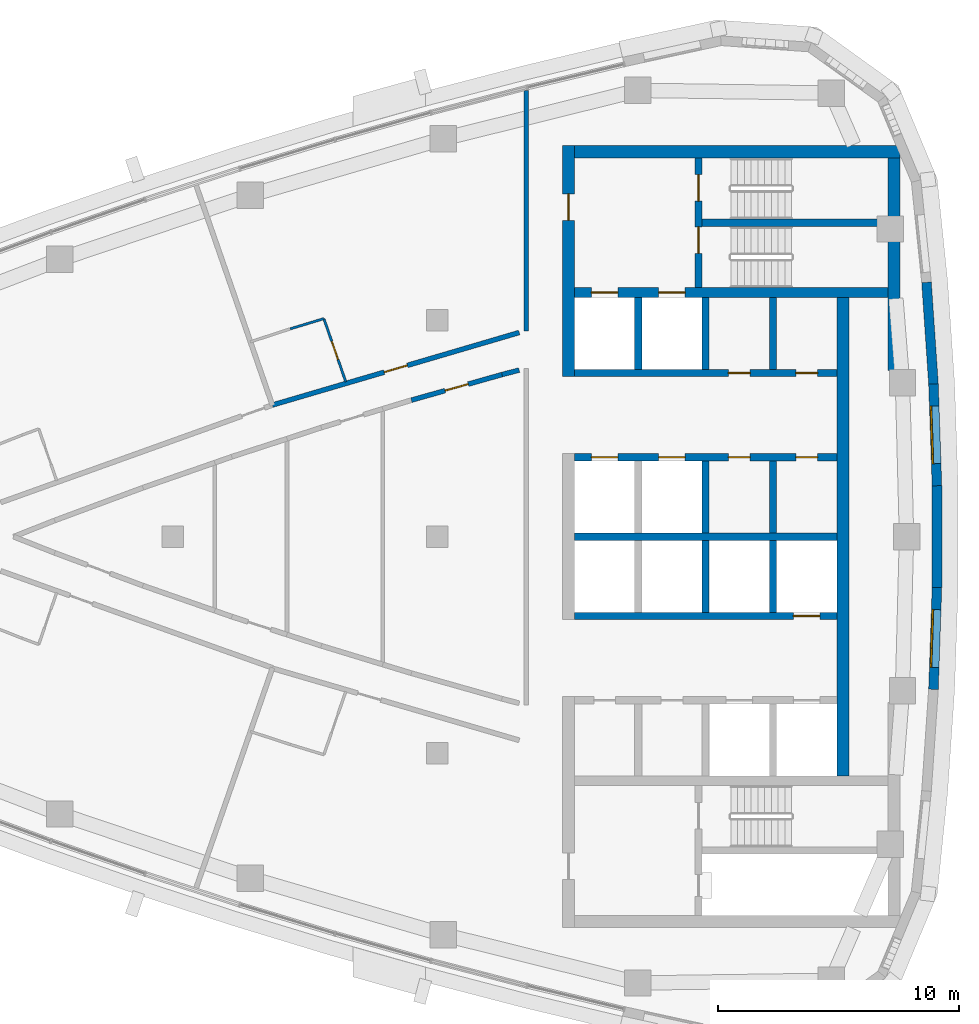
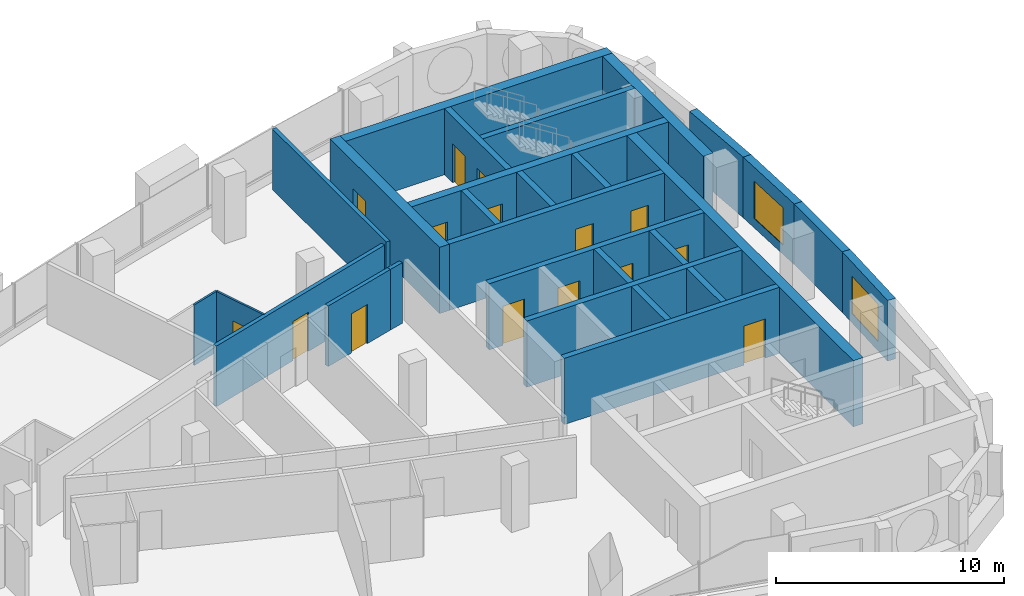
# One storey, part 9 of 14: 28 walls, 15 doors, 2 windows, 17 openings.
"""IFC4 building model written with IfcOpenShell, lengths in metres."""

from ifc_helpers import new_model, si_unit, direction, frame, frame_2d, origin, place, context, subcontext, project, spatial, polyline, rectangle, outline, extrude, material, layer, layer_set, type_object, element, fill, save


model = new_model("IFC4")

# Units and contexts
model_context = context("Model", 3, precision=1e-05, world=origin(), true_north=direction((0.0, 1.0)))
body_context = subcontext(model_context, "Body", "Model", "MODEL_VIEW")
ifc_project = project(units=[si_unit("LENGTHUNIT", "METRE"), si_unit("AREAUNIT", "SQUARE_METRE"), si_unit("VOLUMEUNIT", "CUBIC_METRE"), si_unit("PLANEANGLEUNIT", "RADIAN"), si_unit("MASSUNIT", "GRAM", prefix="KILO")], contexts=[model_context])

# Site, building, storey
site_placement = place(None, origin())
site = spatial("IfcSite", under=ifc_project, at=site_placement, CompositionType="ELEMENT")
building_placement = place(site_placement, origin())
building = spatial("IfcBuilding", under=site, at=building_placement, Name="Ostrand Prow Hotel Tower", CompositionType="ELEMENT")
storey_placement = place(building_placement, frame((0.0, 0.0, 275.0)))
storey = spatial("IfcBuildingStorey", under=building, at=storey_placement, Name="L69", CompositionType="ELEMENT", Elevation=275.0)

# Wall
ifc_material_1 = material(Name="Concrete C50/60", Category="concrete")
ifc_layer_1 = layer(ifc_material_1, 0.300048828125)
ifc_layer_set_1 = layer_set([ifc_layer_1], Name="Concrete C50/60")
wall_type_1 = type_object("IfcWallType", Name="Core wall 300 C50/60", PredefinedType="SHEAR", material=ifc_layer_set_1)
wall_1_placement = place(storey_placement, frame((50.699951171875, 0.0, 0.0), z_axis=(0.0, 0.0, 1.0), x_axis=(1.0, 0.0, 0.0)))
element("IfcWall", 1, at=wall_1_placement, inside=storey, type_object=wall_type_1, Name="Core wall PW-C", PredefinedType="SHEAR", context=body_context, shape_type="SweptSolid", body=[
    extrude(rectangle(XDim=10.900146484375, YDim=0.300048828125, at=frame_2d((5.4501953125, 0.0))), origin(), (0.0, 0.0, 1.0), 3.550048828125),
])

# Wall, openings, doors
wall_2_placement = place(storey_placement, frame((50.699951171875, 3.300048828125, 0.0), z_axis=(0.0, 0.0, 1.0), x_axis=(1.0, 0.0, 0.0)))
wall_2 = element("IfcWall", 2, at=wall_2_placement, inside=storey, type_object=wall_type_1, Name="Core wall PW-L1-N", PredefinedType="SHEAR", context=body_context, shape_type="SweptSolid", body=[
    extrude(rectangle(XDim=10.900146484375, YDim=0.300048828125, at=frame_2d((5.4501953125, 0.0))), origin(), (0.0, 0.0, 1.0), 3.550048828125),
])
opening_1_placement = place(wall_2_placement, frame((0.699951171875, 0.0, 0.0)))
opening_1 = element("IfcOpeningElement", 3, at=opening_1_placement, cuts=wall_2, Name="Opening LD", PredefinedType="OPENING", context=body_context, shape_type="SweptSolid", body=[
    extrude(rectangle(XDim=1.10009765625, YDim=2.10009765625, at=frame_2d((0.550048828125, 1.050048828125))), frame((0.0, 0.159912109375, 0.0), z_axis=(0.0, -1.0, 0.0), x_axis=(1.0, 0.0, 0.0)), (0.0, 0.0, 1.0), 0.320068359375),
])
opening_2_placement = place(wall_2_placement, frame((3.5, 0.0, 0.0)))
opening_2 = element("IfcOpeningElement", 4, at=opening_2_placement, cuts=wall_2, Name="Opening LD", PredefinedType="OPENING", context=body_context, shape_type="SweptSolid", body=[
    extrude(rectangle(XDim=1.10009765625, YDim=2.10009765625, at=frame_2d((0.550048828125, 1.050048828125))), frame((0.0, 0.159912109375, 0.0), z_axis=(0.0, -1.0, 0.0), x_axis=(1.0, 0.0, 0.0)), (0.0, 0.0, 1.0), 0.320068359375),
])
opening_3_placement = place(wall_2_placement, frame((6.39990234375, 0.0, 0.0)))
opening_3 = element("IfcOpeningElement", 5, at=opening_3_placement, cuts=wall_2, Name="Opening FD2", PredefinedType="OPENING", context=body_context, shape_type="SweptSolid", body=[
    extrude(rectangle(XDim=0.89990234375, YDim=2.10009765625, at=frame_2d((0.449951171875, 1.050048828125))), frame((0.0, 0.159912109375, 0.0), z_axis=(0.0, -1.0, 0.0), x_axis=(1.0, 0.0, 0.0)), (0.0, 0.0, 1.0), 0.320068359375),
])
opening_4_placement = place(wall_2_placement, frame((9.199951171875, 0.0, 0.0)))
opening_4 = element("IfcOpeningElement", 6, at=opening_4_placement, cuts=wall_2, Name="Opening FD2", PredefinedType="OPENING", context=body_context, shape_type="SweptSolid", body=[
    extrude(rectangle(XDim=0.89990234375, YDim=2.10009765625, at=frame_2d((0.449951171875, 1.050048828125))), frame((0.0, 0.159912109375, 0.0), z_axis=(0.0, -1.0, 0.0), x_axis=(1.0, 0.0, 0.0)), (0.0, 0.0, 1.0), 0.320068359375),
])
ifc_material_2 = material(Name="Steel fire door", Category="steel")
door_type_1 = type_object("IfcDoorType", Name="Fire door 900 EI120", OperationType="SINGLE_SWING_LEFT", PredefinedType="DOOR", material=ifc_material_2)
door_1_placement = place(opening_3_placement, origin())
door_1 = element("IfcDoor", 7, at=door_1_placement, inside=storey, type_object=door_type_1, Name="DOOR", OperationType="SINGLE_SWING_LEFT", OverallHeight=2.10009765625, OverallWidth=0.89990234375, PredefinedType="DOOR", context=body_context, shape_type="SweptSolid", body=[
    extrude(rectangle(XDim=0.89990234375, YDim=2.10009765625, at=frame_2d((0.449951171875, 1.050048828125))), frame((0.0, 0.02490234375, 0.0), z_axis=(0.0, -1.0, 0.0), x_axis=(1.0, 0.0, 0.0)), (0.0, 0.0, 1.0), 0.050048828125),
])
fill(opening_3, door_1)
door_2_placement = place(opening_4_placement, origin())
door_2 = element("IfcDoor", 8, at=door_2_placement, inside=storey, type_object=door_type_1, Name="DOOR", OperationType="SINGLE_SWING_LEFT", OverallHeight=2.10009765625, OverallWidth=0.89990234375, PredefinedType="DOOR", context=body_context, shape_type="SweptSolid", body=[
    extrude(rectangle(XDim=0.89990234375, YDim=2.10009765625, at=frame_2d((0.449951171875, 1.050048828125))), frame((0.0, 0.02490234375, 0.0), z_axis=(0.0, -1.0, 0.0), x_axis=(1.0, 0.0, 0.0)), (0.0, 0.0, 1.0), 0.050048828125),
])
fill(opening_4, door_2)
ifc_material_3 = material(Name="Stainless steel door", Category="steel")
door_type_2 = type_object("IfcDoorType", Name="Lift landing door 1100", OperationType="DOUBLE_DOOR_SLIDING", PredefinedType="DOOR", material=ifc_material_3)
door_3_placement = place(opening_1_placement, origin())
door_3 = element("IfcDoor", 9, at=door_3_placement, inside=storey, type_object=door_type_2, Name="LIFT LANDING DOOR", OperationType="DOUBLE_DOOR_SLIDING", OverallHeight=2.10009765625, OverallWidth=1.10009765625, PredefinedType="DOOR", context=body_context, shape_type="SweptSolid", body=[
    extrude(rectangle(XDim=1.10009765625, YDim=2.10009765625, at=frame_2d((0.550048828125, 1.050048828125))), frame((0.0, 0.02490234375, 0.0), z_axis=(0.0, -1.0, 0.0), x_axis=(1.0, 0.0, 0.0)), (0.0, 0.0, 1.0), 0.050048828125),
])
fill(opening_1, door_3)
door_4_placement = place(opening_2_placement, origin())
door_4 = element("IfcDoor", 10, at=door_4_placement, inside=storey, type_object=door_type_2, Name="LIFT LANDING DOOR", OperationType="DOUBLE_DOOR_SLIDING", OverallHeight=2.10009765625, OverallWidth=1.10009765625, PredefinedType="DOOR", context=body_context, shape_type="SweptSolid", body=[
    extrude(rectangle(XDim=1.10009765625, YDim=2.10009765625, at=frame_2d((0.550048828125, 1.050048828125))), frame((0.0, 0.02490234375, 0.0), z_axis=(0.0, -1.0, 0.0), x_axis=(1.0, 0.0, 0.0)), (0.0, 0.0, 1.0), 0.050048828125),
])
fill(opening_2, door_4)

wall_3_placement = place(storey_placement, frame((50.699951171875, 6.800048828125, 0.0), z_axis=(0.0, 0.0, 1.0), x_axis=(1.0, 0.0, 0.0)))
wall_3 = element("IfcWall", 11, at=wall_3_placement, inside=storey, type_object=wall_type_1, Name="Core wall PW-L2-N", PredefinedType="SHEAR", context=body_context, shape_type="SweptSolid", body=[
    extrude(rectangle(XDim=10.900146484375, YDim=0.300048828125, at=frame_2d((5.4501953125, 0.0))), origin(), (0.0, 0.0, 1.0), 3.550048828125),
])
opening_5_placement = place(wall_3_placement, frame((6.39990234375, 0.0, 0.0)))
opening_5 = element("IfcOpeningElement", 12, at=opening_5_placement, cuts=wall_3, Name="Opening FD2", PredefinedType="OPENING", context=body_context, shape_type="SweptSolid", body=[
    extrude(rectangle(XDim=0.89990234375, YDim=2.10009765625, at=frame_2d((0.449951171875, 1.050048828125))), frame((0.0, 0.159912109375, 0.0), z_axis=(0.0, -1.0, 0.0), x_axis=(1.0, 0.0, 0.0)), (0.0, 0.0, 1.0), 0.320068359375),
])
opening_6_placement = place(wall_3_placement, frame((9.199951171875, 0.0, 0.0)))
opening_6 = element("IfcOpeningElement", 13, at=opening_6_placement, cuts=wall_3, Name="Opening FD2", PredefinedType="OPENING", context=body_context, shape_type="SweptSolid", body=[
    extrude(rectangle(XDim=0.89990234375, YDim=2.10009765625, at=frame_2d((0.449951171875, 1.050048828125))), frame((0.0, 0.159912109375, 0.0), z_axis=(0.0, -1.0, 0.0), x_axis=(1.0, 0.0, 0.0)), (0.0, 0.0, 1.0), 0.320068359375),
])
door_5_placement = place(opening_5_placement, origin())
door_5 = element("IfcDoor", 14, at=door_5_placement, inside=storey, type_object=door_type_1, Name="DOOR", OperationType="SINGLE_SWING_LEFT", OverallHeight=2.10009765625, OverallWidth=0.89990234375, PredefinedType="DOOR", context=body_context, shape_type="SweptSolid", body=[
    extrude(rectangle(XDim=0.89990234375, YDim=2.10009765625, at=frame_2d((0.449951171875, 1.050048828125))), frame((0.0, 0.02490234375, 0.0), z_axis=(0.0, -1.0, 0.0), x_axis=(1.0, 0.0, 0.0)), (0.0, 0.0, 1.0), 0.050048828125),
])
fill(opening_5, door_5)
door_6_placement = place(opening_6_placement, origin())
door_6 = element("IfcDoor", 15, at=door_6_placement, inside=storey, type_object=door_type_1, Name="DOOR", OperationType="SINGLE_SWING_LEFT", OverallHeight=2.10009765625, OverallWidth=0.89990234375, PredefinedType="DOOR", context=body_context, shape_type="SweptSolid", body=[
    extrude(rectangle(XDim=0.89990234375, YDim=2.10009765625, at=frame_2d((0.449951171875, 1.050048828125))), frame((0.0, 0.02490234375, 0.0), z_axis=(0.0, -1.0, 0.0), x_axis=(1.0, 0.0, 0.0)), (0.0, 0.0, 1.0), 0.050048828125),
])
fill(opening_6, door_6)

# Walls
for number, where, z_axis, x_axis, name in (
    (16, (53.35009765625, 6.949951171875, 0.0), (0.0, 0.0, 1.0), (0.0, 1.0, 0.0), "Core wall PW-R1-NA"),
    (17, (56.14990234375, 0.14990234375, 0.0), (0.0, 0.0, 1.0), (0.0, 1.0, 0.0), "Core wall PW-R2-NB"),
    (18, (56.14990234375, 6.949951171875, 0.0), (0.0, 0.0, 1.0), (0.0, 1.0, 0.0), "Core wall PW-R2-NA"),
    (19, (58.949951171875, 0.14990234375, 0.0), (0.0, 0.0, 1.0), (0.0, 1.0, 0.0), "Core wall PW-R3-NB"),
    (20, (58.949951171875, 6.949951171875, 0.0), (0.0, 0.0, 1.0), (0.0, 1.0, 0.0), "Core wall PW-R3-NA"),
):
    element("IfcWall", number, at=place(storey_placement, frame(where, z_axis=z_axis, x_axis=x_axis)), inside=storey, type_object=wall_type_1, Name=name, PredefinedType="SHEAR", context=body_context, shape_type="SweptSolid", body=[
        extrude(rectangle(XDim=3.0, YDim=0.300048828125, at=frame_2d((1.5, 0.0))), origin(), (0.0, 0.0, 1.0), 3.550048828125),
    ])

# Wall, opening, door
wall_4_placement = place(storey_placement, frame((50.699951171875, -3.300048828125, 0.0), z_axis=(0.0, 0.0, 1.0), x_axis=(1.0, 0.0, 0.0)))
wall_4 = element("IfcWall", 21, at=wall_4_placement, inside=storey, type_object=wall_type_1, Name="Core wall PW-L1-S", PredefinedType="SHEAR", context=body_context, shape_type="SweptSolid", body=[
    extrude(rectangle(XDim=10.900146484375, YDim=0.300048828125, at=frame_2d((5.4501953125, 0.0))), origin(), (0.0, 0.0, 1.0), 3.550048828125),
])
opening_7_placement = place(wall_4_placement, frame((9.10009765625, 0.0, 0.0)))
opening_7 = element("IfcOpeningElement", 22, at=opening_7_placement, cuts=wall_4, Name="Opening LD", PredefinedType="OPENING", context=body_context, shape_type="SweptSolid", body=[
    extrude(rectangle(XDim=1.10009765625, YDim=2.10009765625, at=frame_2d((0.550048828125, 1.050048828125))), frame((0.0, 0.159912109375, 0.0), z_axis=(0.0, -1.0, 0.0), x_axis=(1.0, 0.0, 0.0)), (0.0, 0.0, 1.0), 0.320068359375),
])
door_7_placement = place(opening_7_placement, origin())
door_7 = element("IfcDoor", 23, at=door_7_placement, inside=storey, type_object=door_type_2, Name="LIFT LANDING DOOR", OperationType="DOUBLE_DOOR_SLIDING", OverallHeight=2.10009765625, OverallWidth=1.10009765625, PredefinedType="DOOR", context=body_context, shape_type="SweptSolid", body=[
    extrude(rectangle(XDim=1.10009765625, YDim=2.10009765625, at=frame_2d((0.550048828125, 1.050048828125))), frame((0.0, 0.02490234375, 0.0), z_axis=(0.0, -1.0, 0.0), x_axis=(1.0, 0.0, 0.0)), (0.0, 0.0, 1.0), 0.050048828125),
])
fill(opening_7, door_7)

# Walls
for number, where, z_axis, x_axis, name in (
    (24, (56.14990234375, -3.14990234375, 0.0), (0.0, 0.0, 1.0), (0.0, 1.0, 0.0), "Core wall PW-R2-SB"),
    (25, (58.949951171875, -3.14990234375, 0.0), (0.0, 0.0, 1.0), (0.0, 1.0, 0.0), "Core wall PW-R3-SB"),
):
    element("IfcWall", number, at=place(storey_placement, frame(where, z_axis=z_axis, x_axis=x_axis)), inside=storey, type_object=wall_type_1, Name=name, PredefinedType="SHEAR", context=body_context, shape_type="SweptSolid", body=[
        extrude(rectangle(XDim=3.0, YDim=0.300048828125, at=frame_2d((1.5, 0.0))), origin(), (0.0, 0.0, 1.0), 3.550048828125),
    ])

# Wall, openings, doors
wall_5_placement = place(storey_placement, frame((55.85009765625, 10.35009765625, 0.0), z_axis=(0.0, 0.0, 1.0), x_axis=(0.0, 1.0, 0.0)))
wall_5 = element("IfcWall", 26, at=wall_5_placement, inside=storey, type_object=wall_type_1, Name="Core wall PW-VN", PredefinedType="SHEAR", context=body_context, shape_type="SweptSolid", body=[
    extrude(rectangle(XDim=5.39990234375, YDim=0.300048828125, at=frame_2d((2.699951171875, 0.0))), origin(), (0.0, 0.0, 1.0), 3.550048828125),
])
opening_8_placement = place(wall_5_placement, frame((1.429931640625, 0.0, 0.0)))
opening_8 = element("IfcOpeningElement", 27, at=opening_8_placement, cuts=wall_5, Name="Opening FD1", PredefinedType="OPENING", context=body_context, shape_type="SweptSolid", body=[
    extrude(rectangle(XDim=1.10009765625, YDim=2.10009765625, at=frame_2d((0.550048828125, 1.050048828125))), frame((0.0, 0.159912109375, 0.0), z_axis=(0.0, -1.0, 0.0), x_axis=(1.0, 0.0, 0.0)), (0.0, 0.0, 1.0), 0.320068359375),
])
opening_9_placement = place(wall_5_placement, frame((3.60009765625, 0.0, 0.0)))
opening_9 = element("IfcOpeningElement", 28, at=opening_9_placement, cuts=wall_5, Name="Opening FD1", PredefinedType="OPENING", context=body_context, shape_type="SweptSolid", body=[
    extrude(rectangle(XDim=1.10009765625, YDim=2.10009765625, at=frame_2d((0.550048828125, 1.050048828125))), frame((0.0, 0.159912109375, 0.0), z_axis=(0.0, -1.0, 0.0), x_axis=(1.0, 0.0, 0.0)), (0.0, 0.0, 1.0), 0.320068359375),
])
ifc_material_4 = material(Name="Steel fire door", Category="steel")
door_type_3 = type_object("IfcDoorType", Name="Fire door 1100 EI120", OperationType="SINGLE_SWING_RIGHT", PredefinedType="DOOR", material=ifc_material_4)
door_8_placement = place(opening_8_placement, origin())
door_8 = element("IfcDoor", 29, at=door_8_placement, inside=storey, type_object=door_type_3, Name="FIRE DOOR", OperationType="SINGLE_SWING_RIGHT", OverallHeight=2.10009765625, OverallWidth=1.10009765625, PredefinedType="DOOR", context=body_context, shape_type="SweptSolid", body=[
    extrude(rectangle(XDim=1.10009765625, YDim=2.10009765625, at=frame_2d((0.550048828125, 1.050048828125))), frame((0.0, 0.02490234375, 0.0), z_axis=(0.0, -1.0, 0.0), x_axis=(1.0, 0.0, 0.0)), (0.0, 0.0, 1.0), 0.050048828125),
])
fill(opening_8, door_8)
door_9_placement = place(opening_9_placement, origin())
door_9 = element("IfcDoor", 30, at=door_9_placement, inside=storey, type_object=door_type_3, Name="FIRE DOOR", OperationType="SINGLE_SWING_RIGHT", OverallHeight=2.10009765625, OverallWidth=1.10009765625, PredefinedType="DOOR", context=body_context, shape_type="SweptSolid", body=[
    extrude(rectangle(XDim=1.10009765625, YDim=2.10009765625, at=frame_2d((0.550048828125, 1.050048828125))), frame((0.0, 0.02490234375, 0.0), z_axis=(0.0, -1.0, 0.0), x_axis=(1.0, 0.0, 0.0)), (0.0, 0.0, 1.0), 0.050048828125),
])
fill(opening_9, door_9)

# Wall
wall_6_placement = place(storey_placement, frame((56.0, 13.050048828125, 0.0), z_axis=(0.0, 0.0, 1.0), x_axis=(1.0, 0.0, 0.0)))
element("IfcWall", 31, at=wall_6_placement, inside=storey, type_object=wall_type_1, Name="Core wall PW-ST13", PredefinedType="SHEAR", context=body_context, shape_type="SweptSolid", body=[
    extrude(rectangle(XDim=7.719970703125, YDim=0.300048828125, at=frame_2d((3.85986328125, 0.0))), origin(), (0.0, 0.0, 1.0), 3.550048828125),
])

# Wall, openings, doors
ifc_material_5 = material(Name="Concrete C50/60", Category="concrete")
ifc_layer_2 = layer(ifc_material_5, 0.39990234375)
ifc_layer_set_2 = layer_set([ifc_layer_2], Name="Concrete C50/60")
wall_type_2 = type_object("IfcWallType", Name="Core wall 400 C50/60", PredefinedType="SHEAR", material=ifc_layer_set_2)
wall_7_placement = place(storey_placement, frame((50.699951171875, 10.14990234375, 0.0), z_axis=(0.0, 0.0, 1.0), x_axis=(1.0, 0.0, 0.0)))
wall_7 = element("IfcWall", 32, at=wall_7_placement, inside=storey, type_object=wall_type_2, Name="Core wall PW-BN", PredefinedType="SHEAR", context=body_context, shape_type="SweptSolid", body=[
    extrude(rectangle(XDim=13.02001953125, YDim=0.39990234375, at=frame_2d((6.510009765625, 0.0))), origin(), (0.0, 0.0, 1.0), 3.550048828125),
])
opening_10_placement = place(wall_7_placement, frame((0.699951171875, 0.0, 0.0)))
opening_10 = element("IfcOpeningElement", 33, at=opening_10_placement, cuts=wall_7, Name="Opening LD", PredefinedType="OPENING", context=body_context, shape_type="SweptSolid", body=[
    extrude(rectangle(XDim=1.10009765625, YDim=2.10009765625, at=frame_2d((0.550048828125, 1.050048828125))), frame((0.0, 0.2099609375, 0.0), z_axis=(0.0, -1.0, 0.0), x_axis=(1.0, 0.0, 0.0)), (0.0, 0.0, 1.0), 0.419921875),
])
opening_11_placement = place(wall_7_placement, frame((3.5, 0.0, 0.0)))
opening_11 = element("IfcOpeningElement", 34, at=opening_11_placement, cuts=wall_7, Name="Opening LD", PredefinedType="OPENING", context=body_context, shape_type="SweptSolid", body=[
    extrude(rectangle(XDim=1.10009765625, YDim=2.10009765625, at=frame_2d((0.550048828125, 1.050048828125))), frame((0.0, 0.2099609375, 0.0), z_axis=(0.0, -1.0, 0.0), x_axis=(1.0, 0.0, 0.0)), (0.0, 0.0, 1.0), 0.419921875),
])
door_10_placement = place(opening_10_placement, origin())
door_10 = element("IfcDoor", 35, at=door_10_placement, inside=storey, type_object=door_type_2, Name="LIFT LANDING DOOR", OperationType="DOUBLE_DOOR_SLIDING", OverallHeight=2.10009765625, OverallWidth=1.10009765625, PredefinedType="DOOR", context=body_context, shape_type="SweptSolid", body=[
    extrude(rectangle(XDim=1.10009765625, YDim=2.10009765625, at=frame_2d((0.550048828125, 1.050048828125))), frame((0.0, 0.02490234375, 0.0), z_axis=(0.0, -1.0, 0.0), x_axis=(1.0, 0.0, 0.0)), (0.0, 0.0, 1.0), 0.050048828125),
])
fill(opening_10, door_10)
door_11_placement = place(opening_11_placement, origin())
door_11 = element("IfcDoor", 36, at=door_11_placement, inside=storey, type_object=door_type_2, Name="LIFT LANDING DOOR", OperationType="DOUBLE_DOOR_SLIDING", OverallHeight=2.10009765625, OverallWidth=1.10009765625, PredefinedType="DOOR", context=body_context, shape_type="SweptSolid", body=[
    extrude(rectangle(XDim=1.10009765625, YDim=2.10009765625, at=frame_2d((0.550048828125, 1.050048828125))), frame((0.0, 0.02490234375, 0.0), z_axis=(0.0, -1.0, 0.0), x_axis=(1.0, 0.0, 0.0)), (0.0, 0.0, 1.0), 0.050048828125),
])
fill(opening_11, door_11)

# Wall, opening, door
ifc_material_6 = material(Name="Concrete C50/60", Category="concrete")
ifc_layer_3 = layer(ifc_material_6, 0.5)
ifc_layer_set_3 = layer_set([ifc_layer_3], Name="Concrete C50/60")
wall_type_3 = type_object("IfcWallType", Name="Core wall 500 C50/60", PredefinedType="SHEAR", material=ifc_layer_set_3)
wall_8_placement = place(storey_placement, frame((50.449951171875, 6.64990234375, 0.0), z_axis=(0.0, 0.0, 1.0), x_axis=(0.0, 1.0, 0.0)))
wall_8 = element("IfcWall", 37, at=wall_8_placement, inside=storey, type_object=wall_type_3, Name="Core wall CW-W-N", PredefinedType="SHEAR", context=body_context, shape_type="SweptSolid", body=[
    extrude(rectangle(XDim=9.60009765625, YDim=0.5, at=frame_2d((4.800048828125, 0.0))), origin(), (0.0, 0.0, 1.0), 3.550048828125),
])
opening_12_placement = place(wall_8_placement, frame((6.5, 0.0, 0.0)))
opening_12 = element("IfcOpeningElement", 38, at=opening_12_placement, cuts=wall_8, Name="Opening FD1", PredefinedType="OPENING", context=body_context, shape_type="SweptSolid", body=[
    extrude(rectangle(XDim=1.10009765625, YDim=2.10009765625, at=frame_2d((0.550048828125, 1.050048828125))), frame((0.0, 0.260009765625, 0.0), z_axis=(0.0, -1.0, 0.0), x_axis=(1.0, 0.0, 0.0)), (0.0, 0.0, 1.0), 0.52001953125),
])
door_12_placement = place(opening_12_placement, origin())
door_12 = element("IfcDoor", 39, at=door_12_placement, inside=storey, type_object=door_type_3, Name="FIRE DOOR", OperationType="SINGLE_SWING_RIGHT", OverallHeight=2.10009765625, OverallWidth=1.10009765625, PredefinedType="DOOR", context=body_context, shape_type="SweptSolid", body=[
    extrude(rectangle(XDim=1.10009765625, YDim=2.10009765625, at=frame_2d((0.550048828125, 1.050048828125))), frame((0.0, 0.02490234375, 0.0), z_axis=(0.0, -1.0, 0.0), x_axis=(1.0, 0.0, 0.0)), (0.0, 0.0, 1.0), 0.050048828125),
])
fill(opening_12, door_12)

# Walls
wall_9_placement = place(storey_placement, frame((50.699951171875, 16.0, 0.0), z_axis=(0.0, 0.0, 1.0), x_axis=(1.0, 0.0, 0.0)))
element("IfcWall", 40, at=wall_9_placement, inside=storey, type_object=wall_type_3, Name="Core wall CW-N", PredefinedType="SHEAR", context=body_context, shape_type="SweptSolid", body=[
    extrude(rectangle(XDim=13.52001953125, YDim=0.5, at=frame_2d((6.760009765625, 0.0))), origin(), (0.0, 0.0, 1.0), 3.550048828125),
])
wall_10_placement = place(storey_placement, frame((63.969970703125, 6.9033203125, 0.0), z_axis=(0.0, 0.0, 1.0), x_axis=(0.0, 1.0, 0.0)))
element("IfcWall", 41, at=wall_10_placement, inside=storey, type_object=wall_type_3, Name="Core wall CW-E-N", PredefinedType="SHEAR", context=body_context, shape_type="SweptSolid", body=[
    extrude(rectangle(XDim=8.8466796875, YDim=0.5, at=frame_2d((4.42333984375, 0.0))), origin(), (0.0, 0.0, 1.0), 3.550048828125),
])
wall_11_placement = place(storey_placement, frame((61.85009765625, -9.949951171875, 0.0), z_axis=(0.0, 0.0, 1.0), x_axis=(0.0, 1.0, 0.0)))
element("IfcWall", 42, at=wall_11_placement, inside=storey, type_object=wall_type_3, Name="Core wall CW-E-C", PredefinedType="SHEAR", context=body_context, shape_type="SweptSolid", body=[
    extrude(rectangle(XDim=19.89990234375, YDim=0.5, at=frame_2d((9.949951171875, 0.0))), origin(), (0.0, 0.0, 1.0), 3.550048828125),
])
ifc_material_7 = material(Name="Plasterboard partition")
ifc_layer_4 = layer(ifc_material_7, 0.10009765625)
ifc_layer_set_4 = layer_set([ifc_layer_4], Name="Plasterboard partition")
wall_type_4 = type_object("IfcWallType", Name="Partition 100 bathroom wall", PredefinedType="PARTITIONING", material=ifc_layer_set_4)
wall_12_placement = place(storey_placement, frame((38.88232421875, 8.6376953125, 0.0), z_axis=(0.0, 0.0, 1.0), x_axis=(0.956734544447, 0.290962216555, 0.0)))
element("IfcWall", 43, at=wall_12_placement, inside=storey, type_object=wall_type_4, Name="BATHROOM WALL", PredefinedType="PARTITIONING", context=body_context, shape_type="SweptSolid", body=[
    extrude(rectangle(XDim=1.461669921875, YDim=0.10009765625, at=frame_2d((0.73095703125, 0.0))), origin(), (0.0, 0.0, 1.0), 3.25),
])

# Wall, opening, door
wall_13_placement = place(storey_placement, frame((40.281005859375, 9.062744140625, 0.0), z_axis=(0.0, 0.0, 1.0), x_axis=(0.327695885805, -0.944783258968, 0.0)))
wall_13 = element("IfcWall", 44, at=wall_13_placement, inside=storey, type_object=wall_type_4, Name="BATHROOM WALL", PredefinedType="PARTITIONING", context=body_context, shape_type="SweptSolid", body=[
    extrude(rectangle(XDim=2.779052734375, YDim=0.10009765625, at=frame_2d((1.3896484375, 0.0))), origin(), (0.0, 0.0, 1.0), 3.25),
])
opening_13_placement = place(wall_13_placement, frame((1.0, 0.0, 0.0)))
opening_13 = element("IfcOpeningElement", 45, at=opening_13_placement, cuts=wall_13, Name="Opening D2", PredefinedType="OPENING", context=body_context, shape_type="SweptSolid", body=[
    extrude(rectangle(XDim=0.800048828125, YDim=2.10009765625, at=frame_2d((0.39990234375, 1.050048828125))), frame((0.0, 0.06005859375, 0.0), z_axis=(0.0, -1.0, 0.0), x_axis=(1.0, 0.0, 0.0)), (0.0, 0.0, 1.0), 0.1201171875),
])
ifc_material_8 = material(Name="Timber door leaf", Category="wood")
door_type_4 = type_object("IfcDoorType", Name="Bathroom door 800", OperationType="SINGLE_SWING_LEFT", PredefinedType="DOOR", material=ifc_material_8)
door_13_placement = place(opening_13_placement, origin())
door_13 = element("IfcDoor", 46, at=door_13_placement, inside=storey, type_object=door_type_4, Name="DOOR", OperationType="SINGLE_SWING_LEFT", OverallHeight=2.10009765625, OverallWidth=0.800048828125, PredefinedType="DOOR", context=body_context, shape_type="SweptSolid", body=[
    extrude(rectangle(XDim=0.800048828125, YDim=2.10009765625, at=frame_2d((0.39990234375, 1.050048828125))), frame((0.0, 0.02490234375, 0.0), z_axis=(0.0, -1.0, 0.0), x_axis=(1.0, 0.0, 0.0)), (0.0, 0.0, 1.0), 0.050048828125),
])
fill(opening_13, door_13)

ifc_material_9 = material(Name="Plasterboard partition")
ifc_layer_5 = layer(ifc_material_9, 0.199951171875)
ifc_layer_set_5 = layer_set([ifc_layer_5], Name="Plasterboard partition")
wall_type_5 = type_object("IfcWallType", Name="Partition 200 corridor wall", PredefinedType="PARTITIONING", material=ifc_layer_set_5)
wall_14_placement = place(storey_placement, frame((43.91845703125, 5.6748046875, 0.0), z_axis=(0.0, 0.0, 1.0), x_axis=(0.962411212211, 0.271596499628, 0.0)))
wall_14 = element("IfcWall", 47, at=wall_14_placement, inside=storey, type_object=wall_type_5, Name="CORRIDOR WALL", PredefinedType="PARTITIONING", context=body_context, shape_type="SweptSolid", body=[
    extrude(rectangle(XDim=3.912841796875, YDim=0.199951171875, at=frame_2d((1.95654296875, 0.0))), origin(), (0.0, 0.0, 1.0), 3.25),
])
opening_14_placement = place(wall_14_placement, frame((1.45654296875, 0.0, 0.0)))
opening_14 = element("IfcOpeningElement", 48, at=opening_14_placement, cuts=wall_14, Name="Opening D1", PredefinedType="OPENING", context=body_context, shape_type="SweptSolid", body=[
    extrude(rectangle(XDim=1.0, YDim=2.10009765625, at=frame_2d((0.5, 1.050048828125))), frame((0.0, 0.10986328125, 0.0), z_axis=(0.0, -1.0, 0.0), x_axis=(1.0, 0.0, 0.0)), (0.0, 0.0, 1.0), 0.219970703125),
])
ifc_material_10 = material(Name="Timber door leaf", Category="wood")
door_type_5 = type_object("IfcDoorType", Name="Guest room door 1000", OperationType="SINGLE_SWING_LEFT", PredefinedType="DOOR", material=ifc_material_10)
door_14_placement = place(opening_14_placement, origin())
door_14 = element("IfcDoor", 49, at=door_14_placement, inside=storey, type_object=door_type_5, Name="DOOR", OperationType="SINGLE_SWING_LEFT", OverallHeight=2.10009765625, OverallWidth=1.0, PredefinedType="DOOR", context=body_context, shape_type="SweptSolid", body=[
    extrude(rectangle(XDim=1.0, YDim=2.10009765625, at=frame_2d((0.5, 1.050048828125))), frame((0.0, 0.02490234375, 0.0), z_axis=(0.0, -1.0, 0.0), x_axis=(1.0, 0.0, 0.0)), (0.0, 0.0, 1.0), 0.050048828125),
])
fill(opening_14, door_14)

wall_15_placement = place(storey_placement, frame((48.39990234375, 8.485107421875, 0.0), z_axis=(0.0, 0.0, 1.0), x_axis=(-0.959461783262, -0.281838759682, 0.0)))
wall_15 = element("IfcWall", 50, at=wall_15_placement, inside=storey, type_object=wall_type_5, Name="CORRIDOR WALL", PredefinedType="PARTITIONING", context=body_context, shape_type="SweptSolid", body=[
    extrude(rectangle(XDim=10.69384765625, YDim=0.199951171875, at=frame_2d((5.346923828125, 0.0))), origin(), (0.0, 0.0, 1.0), 3.25),
])
opening_15_placement = place(wall_15_placement, frame((4.846923828125, 0.0, 0.0)))
opening_15 = element("IfcOpeningElement", 51, at=opening_15_placement, cuts=wall_15, Name="Opening D1", PredefinedType="OPENING", context=body_context, shape_type="SweptSolid", body=[
    extrude(rectangle(XDim=1.0, YDim=2.10009765625, at=frame_2d((0.5, 1.050048828125))), frame((0.0, 0.10986328125, 0.0), z_axis=(0.0, -1.0, 0.0), x_axis=(1.0, 0.0, 0.0)), (0.0, 0.0, 1.0), 0.219970703125),
])
door_15_placement = place(opening_15_placement, origin())
door_15 = element("IfcDoor", 52, at=door_15_placement, inside=storey, type_object=door_type_5, Name="DOOR", OperationType="SINGLE_SWING_LEFT", OverallHeight=2.10009765625, OverallWidth=1.0, PredefinedType="DOOR", context=body_context, shape_type="SweptSolid", body=[
    extrude(rectangle(XDim=1.0, YDim=2.10009765625, at=frame_2d((0.5, 1.050048828125))), frame((0.0, 0.02490234375, 0.0), z_axis=(0.0, -1.0, 0.0), x_axis=(1.0, 0.0, 0.0)), (0.0, 0.0, 1.0), 0.050048828125),
])
fill(opening_15, door_15)

# Walls
wall_16_placement = place(storey_placement, frame((47.684326171875, 6.737548828125, 0.0), z_axis=(0.0, 0.0, 1.0), x_axis=(0.967585713416, 0.252542842294, 0.0)))
element("IfcWall", 53, at=wall_16_placement, inside=storey, type_object=wall_type_5, Name="CORRIDOR WALL", PredefinedType="PARTITIONING", context=body_context, shape_type="SweptSolid", body=[
    extrude(rectangle(XDim=0.739501953125, YDim=0.199951171875, at=frame_2d((0.36962890625, 0.0))), origin(), (0.0, 0.0, 1.0), 3.25),
])
wall_17_placement = place(storey_placement, frame((48.695068359375, 18.552978515625, 0.0), z_axis=(0.0, 0.0, 1.0), x_axis=(0.0, -1.0, 0.0)))
element("IfcWall", 54, at=wall_17_placement, inside=storey, type_object=wall_type_5, Name="CORRIDOR WALL", PredefinedType="PARTITIONING", context=body_context, shape_type="SweptSolid", body=[
    extrude(rectangle(XDim=9.99658203125, YDim=0.199951171875, at=frame_2d((4.998291015625, 0.0))), origin(), (0.0, 0.0, 1.0), 3.25),
])

# Wall, opening, window
ifc_material_11 = material(Name="Precast concrete C40/50", Category="concrete")
ifc_layer_6 = layer(ifc_material_11, 0.39990234375)
ifc_layer_set_6 = layer_set([ifc_layer_6], Name="Precast concrete C40/50")
wall_type_6 = type_object("IfcWallType", Name="Stone-faced precast wall 400 mm", PredefinedType="NOTDEFINED", material=ifc_layer_set_6)
wall_18_placement = place(storey_placement, frame((65.6201171875, -6.34765625, 0.0), z_axis=(0.0, 0.0, 1.0), x_axis=(0.034082898699, 0.999419009233, 0.0)))
wall_18 = element("IfcWall", 55, at=wall_18_placement, inside=storey, type_object=wall_type_6, Name="Stone-faced wall back 7", PredefinedType="NOTDEFINED", context=body_context, shape_type="SweptSolid", body=[
    extrude(outline(polyline([(-0.00341796875, -0.199951171875), (4.23681640625, -0.199951171875), (4.22998046875, 0.199951171875), (0.00341796875, 0.199951171875), (-0.00341796875, -0.199951171875)])), origin(), (0.0, 0.0, 1.0), 3.25),
])
opening_16_placement = place(wall_18_placement, frame((0.916748046875, 0.0, 0.5)))
opening_16 = element("IfcOpeningElement", 56, at=opening_16_placement, cuts=wall_18, Name="Opening WA1", PredefinedType="OPENING", context=body_context, shape_type="SweptSolid", body=[
    extrude(rectangle(XDim=2.39990234375, YDim=2.0, at=frame_2d((1.199951171875, 1.0))), frame((0.0, 0.2099609375, 0.0), z_axis=(0.0, -1.0, 0.0), x_axis=(1.0, 0.0, 0.0)), (0.0, 0.0, 1.0), 0.419921875),
])
ifc_material_12 = material(Name="Insulated glass in bronze frame", Category="glass")
window_type = type_object("IfcWindowType", Name="Amenity picture window 2400x2000", PartitioningType="SINGLE_PANEL", PredefinedType="WINDOW", material=ifc_material_12)
window_1_placement = place(opening_16_placement, origin())
window_1 = element("IfcWindow", 57, at=window_1_placement, inside=storey, type_object=window_type, Name="Window back 7.1", OverallHeight=2.0, OverallWidth=2.39990234375, PartitioningType="SINGLE_PANEL", PredefinedType="WINDOW", context=body_context, shape_type="SweptSolid", body=[
    extrude(rectangle(XDim=2.39990234375, YDim=2.0, at=frame_2d((1.199951171875, 1.0))), frame((0.0, 0.169921875, 0.0), z_axis=(0.0, -1.0, 0.0), x_axis=(1.0, 0.0, 0.0)), (0.0, 0.0, 1.0), 0.06005859375),
])
fill(opening_16, window_1)

# Wall
wall_19_placement = place(storey_placement, frame((65.764404296875, -2.11669921875, 0.0), z_axis=(0.0, 0.0, 1.0), x_axis=(0.0, 1.0, 0.0)))
element("IfcWall", 58, at=wall_19_placement, inside=storey, type_object=wall_type_6, Name="Stone-faced wall back 8", PredefinedType="NOTDEFINED", context=body_context, shape_type="SweptSolid", body=[
    extrude(outline(polyline([(-0.00341796875, -0.199951171875), (4.23681640625, -0.199951171875), (4.22998046875, 0.199951171875), (0.00341796875, 0.199951171875), (-0.00341796875, -0.199951171875)])), origin(), (0.0, 0.0, 1.0), 3.25),
])

# Wall, opening, window
wall_20_placement = place(storey_placement, frame((65.764404296875, 2.11669921875, 0.0), z_axis=(0.0, 0.0, 1.0), x_axis=(-0.034082898699, 0.999419009233, 0.0)))
wall_20 = element("IfcWall", 59, at=wall_20_placement, inside=storey, type_object=wall_type_6, Name="Stone-faced wall back 9", PredefinedType="NOTDEFINED", context=body_context, shape_type="SweptSolid", body=[
    extrude(outline(polyline([(-0.00341796875, -0.199951171875), (4.23681640625, -0.199951171875), (4.22998046875, 0.199951171875), (0.00341796875, 0.199951171875), (-0.00341796875, -0.199951171875)])), origin(), (0.0, 0.0, 1.0), 3.25),
])
opening_17_placement = place(wall_20_placement, frame((0.916748046875, 0.0, 0.5)))
opening_17 = element("IfcOpeningElement", 60, at=opening_17_placement, cuts=wall_20, Name="Opening WA1", PredefinedType="OPENING", context=body_context, shape_type="SweptSolid", body=[
    extrude(rectangle(XDim=2.39990234375, YDim=2.0, at=frame_2d((1.199951171875, 1.0))), frame((0.0, 0.2099609375, 0.0), z_axis=(0.0, -1.0, 0.0), x_axis=(1.0, 0.0, 0.0)), (0.0, 0.0, 1.0), 0.419921875),
])
window_2_placement = place(opening_17_placement, origin())
window_2 = element("IfcWindow", 61, at=window_2_placement, inside=storey, type_object=window_type, Name="Window back 9.1", OverallHeight=2.0, OverallWidth=2.39990234375, PartitioningType="SINGLE_PANEL", PredefinedType="WINDOW", context=body_context, shape_type="SweptSolid", body=[
    extrude(rectangle(XDim=2.39990234375, YDim=2.0, at=frame_2d((1.199951171875, 1.0))), frame((0.0, 0.169921875, 0.0), z_axis=(0.0, -1.0, 0.0), x_axis=(1.0, 0.0, 0.0)), (0.0, 0.0, 1.0), 0.06005859375),
])
fill(opening_17, window_2)

# Wall
wall_21_placement = place(storey_placement, frame((65.6201171875, 6.34765625, 0.0), z_axis=(0.0, 0.0, 1.0), x_axis=(-0.068279584479, 0.997666225921, 0.0)))
element("IfcWall", 62, at=wall_21_placement, inside=storey, type_object=wall_type_6, Name="Stone-faced wall back 10", PredefinedType="NOTDEFINED", context=body_context, shape_type="SweptSolid", body=[
    extrude(outline(polyline([(-0.00341796875, -0.199951171875), (4.23681640625, -0.199951171875), (4.22998046875, 0.199951171875), (0.00341796875, 0.199951171875), (-0.00341796875, -0.199951171875)])), origin(), (0.0, 0.0, 1.0), 3.25),
])

save(model, "model.ifc")
